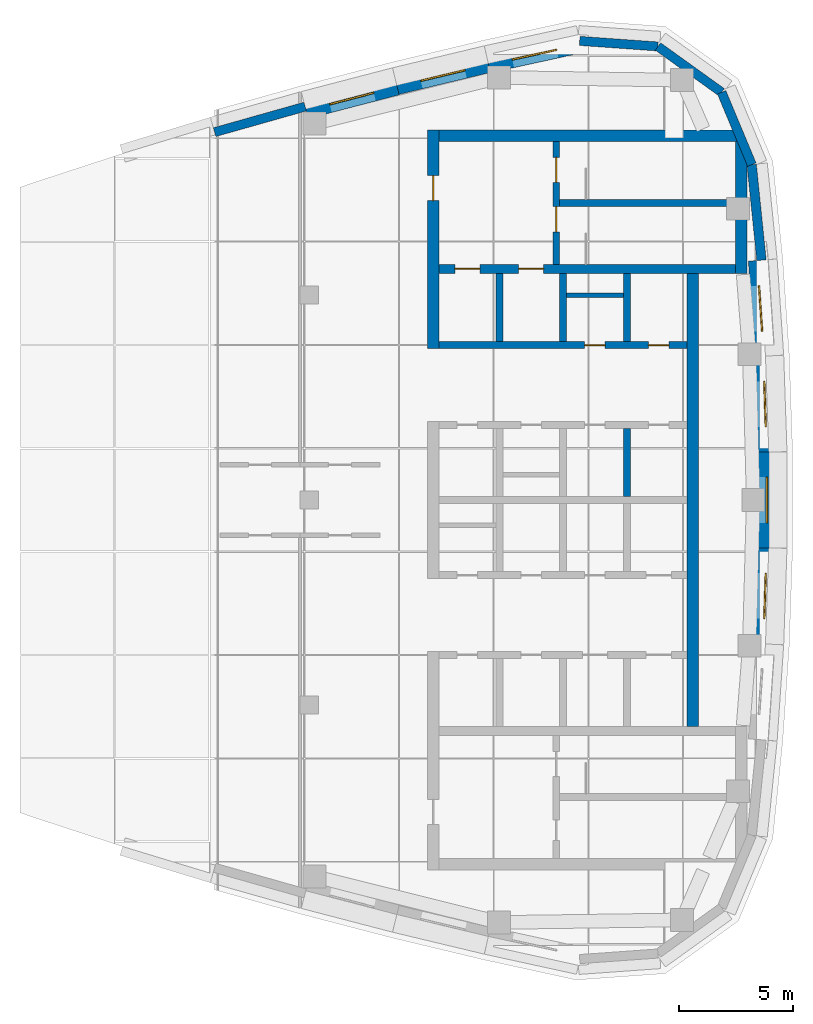
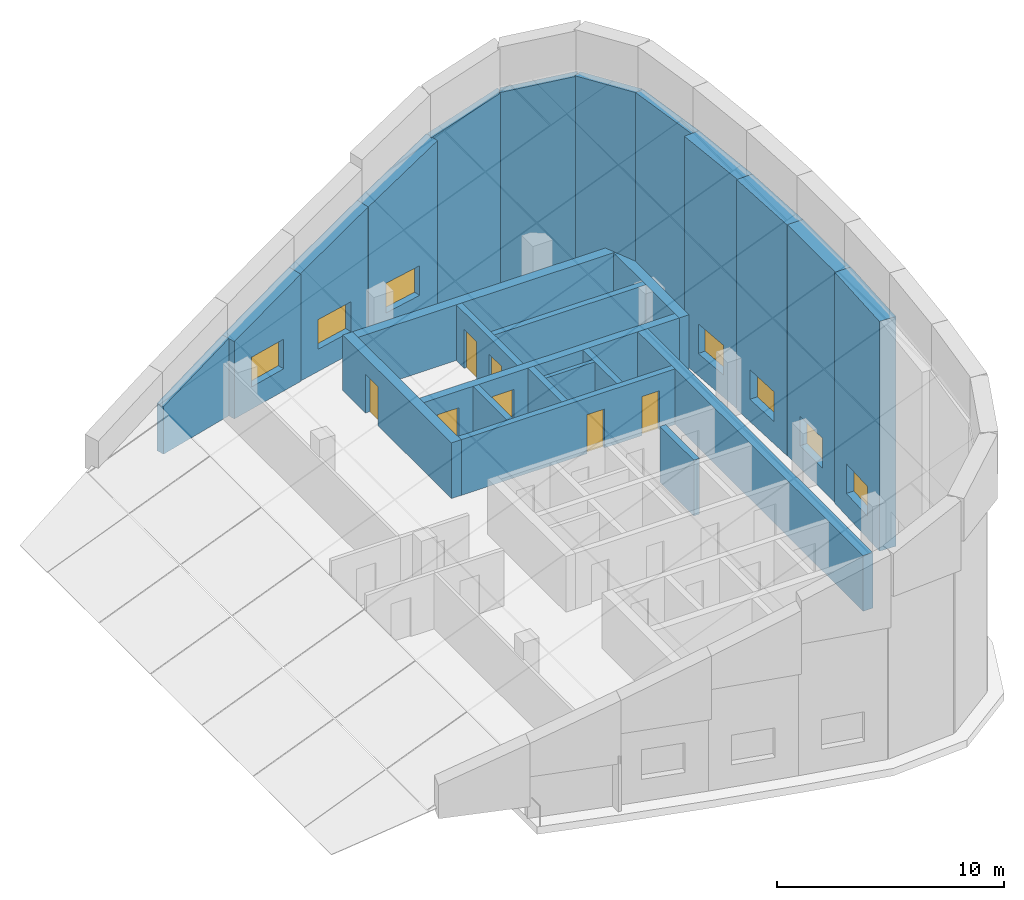
# One storey, part 4 of 6: 25 walls, 7 doors, 7 windows, 14 openings.
"""IFC4 building model written with IfcOpenShell, lengths in metres."""

from ifc_helpers import new_model, si_unit, direction, frame, frame_2d, origin, place, context, subcontext, project, spatial, polyline, rectangle, outline, extrude, material, layer, layer_set, type_object, element, fill, save


model = new_model("IFC4")

# Units and contexts
model_context = context("Model", 3, precision=1e-05, world=origin(), true_north=direction((0.0, 1.0)))
body_context = subcontext(model_context, "Body", "Model", "MODEL_VIEW")
ifc_project = project(units=[si_unit("LENGTHUNIT", "METRE"), si_unit("AREAUNIT", "SQUARE_METRE"), si_unit("VOLUMEUNIT", "CUBIC_METRE"), si_unit("PLANEANGLEUNIT", "RADIAN"), si_unit("MASSUNIT", "GRAM", prefix="KILO")], contexts=[model_context])

# Site, building, storey
site_placement = place(None, origin())
site = spatial("IfcSite", under=ifc_project, at=site_placement, CompositionType="ELEMENT")
building_placement = place(site_placement, origin())
building = spatial("IfcBuilding", under=site, at=building_placement, Name="Ostrand Prow Hotel Tower", CompositionType="ELEMENT")
storey_placement = place(building_placement, frame((0.0, 0.0, 337.39990234375)))
storey = spatial("IfcBuildingStorey", under=building, at=storey_placement, Name="C7", CompositionType="ELEMENT", Elevation=337.39990234375)

# Wall, openings, doors
ifc_material_1 = material(Name="Concrete C40/50", Category="concrete")
ifc_layer_1 = layer(ifc_material_1, 0.300048828125)
ifc_layer_set_1 = layer_set([ifc_layer_1], Name="Concrete C40/50")
wall_type_1 = type_object("IfcWallType", Name="Core wall 300 C40/50", PredefinedType="SHEAR", material=ifc_layer_set_1)
wall_1_placement = place(storey_placement, frame((50.699951171875, 6.800048828125, 0.0), z_axis=(0.0, 0.0, 1.0), x_axis=(1.0, 0.0, 0.0)))
wall_1 = element("IfcWall", 1, at=wall_1_placement, inside=storey, type_object=wall_type_1, Name="Core wall PW-L2-N", PredefinedType="SHEAR", context=body_context, shape_type="SweptSolid", body=[
    extrude(rectangle(XDim=10.900146484375, YDim=0.300048828125, at=frame_2d((5.4501953125, 0.0))), origin(), (0.0, 0.0, 1.0), 3.0),
])
opening_1_placement = place(wall_1_placement, frame((6.39990234375, 0.0, 0.0)))
opening_1 = element("IfcOpeningElement", 2, at=opening_1_placement, cuts=wall_1, Name="Opening FD2", PredefinedType="OPENING", context=body_context, shape_type="SweptSolid", body=[
    extrude(rectangle(XDim=0.89990234375, YDim=2.10009765625, at=frame_2d((0.449951171875, 1.050048828125))), frame((0.0, 0.159912109375, 0.0), z_axis=(0.0, -1.0, 0.0), x_axis=(1.0, 0.0, 0.0)), (0.0, 0.0, 1.0), 0.320068359375),
])
opening_2_placement = place(wall_1_placement, frame((9.199951171875, 0.0, 0.0)))
opening_2 = element("IfcOpeningElement", 3, at=opening_2_placement, cuts=wall_1, Name="Opening FD2", PredefinedType="OPENING", context=body_context, shape_type="SweptSolid", body=[
    extrude(rectangle(XDim=0.89990234375, YDim=2.10009765625, at=frame_2d((0.449951171875, 1.050048828125))), frame((0.0, 0.159912109375, 0.0), z_axis=(0.0, -1.0, 0.0), x_axis=(1.0, 0.0, 0.0)), (0.0, 0.0, 1.0), 0.320068359375),
])
ifc_material_2 = material(Name="Steel fire door", Category="steel")
door_type_1 = type_object("IfcDoorType", Name="Fire door 900 EI120", OperationType="SINGLE_SWING_LEFT", PredefinedType="DOOR", material=ifc_material_2)
door_1_placement = place(opening_1_placement, origin())
door_1 = element("IfcDoor", 4, at=door_1_placement, inside=storey, type_object=door_type_1, Name="DOOR", OperationType="SINGLE_SWING_LEFT", OverallHeight=2.10009765625, OverallWidth=0.89990234375, PredefinedType="DOOR", context=body_context, shape_type="SweptSolid", body=[
    extrude(rectangle(XDim=0.89990234375, YDim=2.10009765625, at=frame_2d((0.449951171875, 1.050048828125))), frame((0.0, 0.02490234375, 0.0), z_axis=(0.0, -1.0, 0.0), x_axis=(1.0, 0.0, 0.0)), (0.0, 0.0, 1.0), 0.050048828125),
])
fill(opening_1, door_1)
door_2_placement = place(opening_2_placement, origin())
door_2 = element("IfcDoor", 5, at=door_2_placement, inside=storey, type_object=door_type_1, Name="DOOR", OperationType="SINGLE_SWING_LEFT", OverallHeight=2.10009765625, OverallWidth=0.89990234375, PredefinedType="DOOR", context=body_context, shape_type="SweptSolid", body=[
    extrude(rectangle(XDim=0.89990234375, YDim=2.10009765625, at=frame_2d((0.449951171875, 1.050048828125))), frame((0.0, 0.02490234375, 0.0), z_axis=(0.0, -1.0, 0.0), x_axis=(1.0, 0.0, 0.0)), (0.0, 0.0, 1.0), 0.050048828125),
])
fill(opening_2, door_2)

# Walls
for number, where, z_axis, x_axis, name in (
    (6, (53.35009765625, 6.949951171875, 0.0), (0.0, 0.0, 1.0), (0.0, 1.0, 0.0), "Core wall PW-R1-NA"),
    (7, (56.14990234375, 6.949951171875, 0.0), (0.0, 0.0, 1.0), (0.0, 1.0, 0.0), "Core wall PW-R2-NA"),
    (8, (58.949951171875, 0.14990234375, 0.0), (0.0, 0.0, 1.0), (0.0, 1.0, 0.0), "Core wall PW-R3-NB"),
    (9, (58.949951171875, 6.949951171875, 0.0), (0.0, 0.0, 1.0), (0.0, 1.0, 0.0), "Core wall PW-R3-NA"),
):
    element("IfcWall", number, at=place(storey_placement, frame(where, z_axis=z_axis, x_axis=x_axis)), inside=storey, type_object=wall_type_1, Name=name, PredefinedType="SHEAR", context=body_context, shape_type="SweptSolid", body=[
        extrude(rectangle(XDim=3.0, YDim=0.300048828125, at=frame_2d((1.5, 0.0))), origin(), (0.0, 0.0, 1.0), 3.0),
    ])

# Wall, openings, doors
wall_2_placement = place(storey_placement, frame((55.85009765625, 10.35009765625, 0.0), z_axis=(0.0, 0.0, 1.0), x_axis=(0.0, 1.0, 0.0)))
wall_2 = element("IfcWall", 10, at=wall_2_placement, inside=storey, type_object=wall_type_1, Name="Core wall PW-VN", PredefinedType="SHEAR", context=body_context, shape_type="SweptSolid", body=[
    extrude(rectangle(XDim=5.39990234375, YDim=0.300048828125, at=frame_2d((2.699951171875, 0.0))), origin(), (0.0, 0.0, 1.0), 3.0),
])
opening_3_placement = place(wall_2_placement, frame((1.429931640625, 0.0, 0.0)))
opening_3 = element("IfcOpeningElement", 11, at=opening_3_placement, cuts=wall_2, Name="Opening FD1", PredefinedType="OPENING", context=body_context, shape_type="SweptSolid", body=[
    extrude(rectangle(XDim=1.10009765625, YDim=2.10009765625, at=frame_2d((0.550048828125, 1.050048828125))), frame((0.0, 0.159912109375, 0.0), z_axis=(0.0, -1.0, 0.0), x_axis=(1.0, 0.0, 0.0)), (0.0, 0.0, 1.0), 0.320068359375),
])
opening_4_placement = place(wall_2_placement, frame((3.60009765625, 0.0, 0.0)))
opening_4 = element("IfcOpeningElement", 12, at=opening_4_placement, cuts=wall_2, Name="Opening FD1", PredefinedType="OPENING", context=body_context, shape_type="SweptSolid", body=[
    extrude(rectangle(XDim=1.10009765625, YDim=2.10009765625, at=frame_2d((0.550048828125, 1.050048828125))), frame((0.0, 0.159912109375, 0.0), z_axis=(0.0, -1.0, 0.0), x_axis=(1.0, 0.0, 0.0)), (0.0, 0.0, 1.0), 0.320068359375),
])
ifc_material_3 = material(Name="Steel fire door", Category="steel")
door_type_2 = type_object("IfcDoorType", Name="Fire door 1100 EI120", OperationType="SINGLE_SWING_RIGHT", PredefinedType="DOOR", material=ifc_material_3)
door_3_placement = place(opening_3_placement, origin())
door_3 = element("IfcDoor", 13, at=door_3_placement, inside=storey, type_object=door_type_2, Name="FIRE DOOR", OperationType="SINGLE_SWING_RIGHT", OverallHeight=2.10009765625, OverallWidth=1.10009765625, PredefinedType="DOOR", context=body_context, shape_type="SweptSolid", body=[
    extrude(rectangle(XDim=1.10009765625, YDim=2.10009765625, at=frame_2d((0.550048828125, 1.050048828125))), frame((0.0, 0.02490234375, 0.0), z_axis=(0.0, -1.0, 0.0), x_axis=(1.0, 0.0, 0.0)), (0.0, 0.0, 1.0), 0.050048828125),
])
fill(opening_3, door_3)
door_4_placement = place(opening_4_placement, origin())
door_4 = element("IfcDoor", 14, at=door_4_placement, inside=storey, type_object=door_type_2, Name="FIRE DOOR", OperationType="SINGLE_SWING_RIGHT", OverallHeight=2.10009765625, OverallWidth=1.10009765625, PredefinedType="DOOR", context=body_context, shape_type="SweptSolid", body=[
    extrude(rectangle(XDim=1.10009765625, YDim=2.10009765625, at=frame_2d((0.550048828125, 1.050048828125))), frame((0.0, 0.02490234375, 0.0), z_axis=(0.0, -1.0, 0.0), x_axis=(1.0, 0.0, 0.0)), (0.0, 0.0, 1.0), 0.050048828125),
])
fill(opening_4, door_4)

# Wall
wall_3_placement = place(storey_placement, frame((56.0, 13.050048828125, 0.0), z_axis=(0.0, 0.0, 1.0), x_axis=(1.0, 0.0, 0.0)))
element("IfcWall", 15, at=wall_3_placement, inside=storey, type_object=wall_type_1, Name="Core wall PW-ST13", PredefinedType="SHEAR", context=body_context, shape_type="SweptSolid", body=[
    extrude(rectangle(XDim=7.719970703125, YDim=0.300048828125, at=frame_2d((3.85986328125, 0.0))), origin(), (0.0, 0.0, 1.0), 3.0),
])

# Wall, openings, doors
ifc_material_4 = material(Name="Concrete C40/50", Category="concrete")
ifc_layer_2 = layer(ifc_material_4, 0.39990234375)
ifc_layer_set_2 = layer_set([ifc_layer_2], Name="Concrete C40/50")
wall_type_2 = type_object("IfcWallType", Name="Core wall 400 C40/50", PredefinedType="SHEAR", material=ifc_layer_set_2)
wall_4_placement = place(storey_placement, frame((50.699951171875, 10.14990234375, 0.0), z_axis=(0.0, 0.0, 1.0), x_axis=(1.0, 0.0, 0.0)))
wall_4 = element("IfcWall", 16, at=wall_4_placement, inside=storey, type_object=wall_type_2, Name="Core wall PW-BN", PredefinedType="SHEAR", context=body_context, shape_type="SweptSolid", body=[
    extrude(rectangle(XDim=13.02001953125, YDim=0.39990234375, at=frame_2d((6.510009765625, 0.0))), origin(), (0.0, 0.0, 1.0), 3.0),
])
opening_5_placement = place(wall_4_placement, frame((0.699951171875, 0.0, 0.0)))
opening_5 = element("IfcOpeningElement", 17, at=opening_5_placement, cuts=wall_4, Name="Opening LD", PredefinedType="OPENING", context=body_context, shape_type="SweptSolid", body=[
    extrude(rectangle(XDim=1.10009765625, YDim=2.10009765625, at=frame_2d((0.550048828125, 1.050048828125))), frame((0.0, 0.2099609375, 0.0), z_axis=(0.0, -1.0, 0.0), x_axis=(1.0, 0.0, 0.0)), (0.0, 0.0, 1.0), 0.419921875),
])
opening_6_placement = place(wall_4_placement, frame((3.5, 0.0, 0.0)))
opening_6 = element("IfcOpeningElement", 18, at=opening_6_placement, cuts=wall_4, Name="Opening LD", PredefinedType="OPENING", context=body_context, shape_type="SweptSolid", body=[
    extrude(rectangle(XDim=1.10009765625, YDim=2.10009765625, at=frame_2d((0.550048828125, 1.050048828125))), frame((0.0, 0.2099609375, 0.0), z_axis=(0.0, -1.0, 0.0), x_axis=(1.0, 0.0, 0.0)), (0.0, 0.0, 1.0), 0.419921875),
])
ifc_material_5 = material(Name="Stainless steel door", Category="steel")
door_type_3 = type_object("IfcDoorType", Name="Lift landing door 1100", OperationType="DOUBLE_DOOR_SLIDING", PredefinedType="DOOR", material=ifc_material_5)
door_5_placement = place(opening_5_placement, origin())
door_5 = element("IfcDoor", 19, at=door_5_placement, inside=storey, type_object=door_type_3, Name="LIFT LANDING DOOR", OperationType="DOUBLE_DOOR_SLIDING", OverallHeight=2.10009765625, OverallWidth=1.10009765625, PredefinedType="DOOR", context=body_context, shape_type="SweptSolid", body=[
    extrude(rectangle(XDim=1.10009765625, YDim=2.10009765625, at=frame_2d((0.550048828125, 1.050048828125))), frame((0.0, 0.02490234375, 0.0), z_axis=(0.0, -1.0, 0.0), x_axis=(1.0, 0.0, 0.0)), (0.0, 0.0, 1.0), 0.050048828125),
])
fill(opening_5, door_5)
door_6_placement = place(opening_6_placement, origin())
door_6 = element("IfcDoor", 20, at=door_6_placement, inside=storey, type_object=door_type_3, Name="LIFT LANDING DOOR", OperationType="DOUBLE_DOOR_SLIDING", OverallHeight=2.10009765625, OverallWidth=1.10009765625, PredefinedType="DOOR", context=body_context, shape_type="SweptSolid", body=[
    extrude(rectangle(XDim=1.10009765625, YDim=2.10009765625, at=frame_2d((0.550048828125, 1.050048828125))), frame((0.0, 0.02490234375, 0.0), z_axis=(0.0, -1.0, 0.0), x_axis=(1.0, 0.0, 0.0)), (0.0, 0.0, 1.0), 0.050048828125),
])
fill(opening_6, door_6)

# Wall, opening, door
ifc_material_6 = material(Name="Concrete C40/50", Category="concrete")
ifc_layer_3 = layer(ifc_material_6, 0.5)
ifc_layer_set_3 = layer_set([ifc_layer_3], Name="Concrete C40/50")
wall_type_3 = type_object("IfcWallType", Name="Core wall 500 C40/50", PredefinedType="SHEAR", material=ifc_layer_set_3)
wall_5_placement = place(storey_placement, frame((50.449951171875, 6.64990234375, 0.0), z_axis=(0.0, 0.0, 1.0), x_axis=(0.0, 1.0, 0.0)))
wall_5 = element("IfcWall", 21, at=wall_5_placement, inside=storey, type_object=wall_type_3, Name="Core wall CW-W-N", PredefinedType="SHEAR", context=body_context, shape_type="SweptSolid", body=[
    extrude(rectangle(XDim=9.60009765625, YDim=0.5, at=frame_2d((4.800048828125, 0.0))), origin(), (0.0, 0.0, 1.0), 3.0),
])
opening_7_placement = place(wall_5_placement, frame((6.5, 0.0, 0.0)))
opening_7 = element("IfcOpeningElement", 22, at=opening_7_placement, cuts=wall_5, Name="Opening FD1", PredefinedType="OPENING", context=body_context, shape_type="SweptSolid", body=[
    extrude(rectangle(XDim=1.10009765625, YDim=2.10009765625, at=frame_2d((0.550048828125, 1.050048828125))), frame((0.0, 0.260009765625, 0.0), z_axis=(0.0, -1.0, 0.0), x_axis=(1.0, 0.0, 0.0)), (0.0, 0.0, 1.0), 0.52001953125),
])
door_7_placement = place(opening_7_placement, origin())
door_7 = element("IfcDoor", 23, at=door_7_placement, inside=storey, type_object=door_type_2, Name="FIRE DOOR", OperationType="SINGLE_SWING_RIGHT", OverallHeight=2.10009765625, OverallWidth=1.10009765625, PredefinedType="DOOR", context=body_context, shape_type="SweptSolid", body=[
    extrude(rectangle(XDim=1.10009765625, YDim=2.10009765625, at=frame_2d((0.550048828125, 1.050048828125))), frame((0.0, 0.02490234375, 0.0), z_axis=(0.0, -1.0, 0.0), x_axis=(1.0, 0.0, 0.0)), (0.0, 0.0, 1.0), 0.050048828125),
])
fill(opening_7, door_7)

# Walls
wall_6_placement = place(storey_placement, frame((50.699951171875, 16.0, 0.0), z_axis=(0.0, 0.0, 1.0), x_axis=(1.0, 0.0, 0.0)))
element("IfcWall", 24, at=wall_6_placement, inside=storey, type_object=wall_type_3, Name="Core wall CW-N", PredefinedType="SHEAR", context=body_context, shape_type="SweptSolid", body=[
    extrude(rectangle(XDim=13.52001953125, YDim=0.5, at=frame_2d((6.760009765625, 0.0))), origin(), (0.0, 0.0, 1.0), 3.0),
])
wall_7_placement = place(storey_placement, frame((63.969970703125, 9.949951171875, 0.0), z_axis=(0.0, 0.0, 1.0), x_axis=(0.0, 1.0, 0.0)))
element("IfcWall", 25, at=wall_7_placement, inside=storey, type_object=wall_type_3, Name="Core wall CW-E-N", PredefinedType="SHEAR", context=body_context, shape_type="SweptSolid", body=[
    extrude(rectangle(XDim=5.800048828125, YDim=0.5, at=frame_2d((2.89990234375, 0.0))), origin(), (0.0, 0.0, 1.0), 3.0),
])
wall_8_placement = place(storey_placement, frame((61.85009765625, -9.949951171875, 0.0), z_axis=(0.0, 0.0, 1.0), x_axis=(0.0, 1.0, 0.0)))
element("IfcWall", 26, at=wall_8_placement, inside=storey, type_object=wall_type_3, Name="Core wall CW-E-C", PredefinedType="SHEAR", context=body_context, shape_type="SweptSolid", body=[
    extrude(rectangle(XDim=19.89990234375, YDim=0.5, at=frame_2d((9.949951171875, 0.0))), origin(), (0.0, 0.0, 1.0), 3.0),
])
ifc_material_7 = material(Name="Plasterboard partition")
ifc_layer_4 = layer(ifc_material_7, 0.199951171875)
ifc_layer_set_4 = layer_set([ifc_layer_4], Name="Plasterboard partition")
wall_type_4 = type_object("IfcWallType", Name="Partition 200 riser wall", PredefinedType="PARTITIONING", material=ifc_layer_set_4)
wall_9_placement = place(storey_placement, frame((58.800048828125, 8.989990234375, 0.0), z_axis=(0.0, 0.0, 1.0), x_axis=(-1.0, 0.0, 0.0)))
element("IfcWall", 27, at=wall_9_placement, inside=storey, type_object=wall_type_4, Name="RISER WALL", PredefinedType="PARTITIONING", context=body_context, shape_type="SweptSolid", body=[
    extrude(rectangle(XDim=2.5, YDim=0.199951171875, at=frame_2d((1.25, 0.0))), origin(), (0.0, 0.0, 1.0), 3.0),
])

# Wall, opening, window
ifc_material_8 = material(Name="Precast concrete C40/50", Category="concrete")
ifc_layer_5 = layer(ifc_material_8, 0.39990234375)
ifc_layer_set_5 = layer_set([ifc_layer_5], Name="Precast concrete C40/50")
wall_type_5 = type_object("IfcWallType", Name="Stone-faced precast wall 400 mm", PredefinedType="NOTDEFINED", material=ifc_layer_set_5)
wall_10_placement = place(storey_placement, frame((64.945556640625, -6.31689453125, 0.0), z_axis=(0.0, 0.0, 1.0), x_axis=(0.034151270612, 0.999416675224, 0.0)))
wall_10 = element("IfcWall", 28, at=wall_10_placement, inside=storey, type_object=wall_type_5, Name="Crown side wall C7 21", PredefinedType="NOTDEFINED", context=body_context, shape_type="SweptSolid", body=[
    extrude(outline(polyline([(0.0, 0.0), (4.2177734375, 0.0), (4.2177734375, 12.442138671875), (0.0, 12.3837890625), (0.0, 0.0)])), frame((0.0, 0.41259765625, 0.0), z_axis=(0.0, -1.0, 0.0), x_axis=(1.0, 0.0, 0.0)), (0.0, 0.0, 1.0), 0.825439453125),
])
opening_8_placement = place(wall_10_placement, frame((1.10888671875, 0.0, 1.199951171875)))
opening_8 = element("IfcOpeningElement", 29, at=opening_8_placement, cuts=wall_10, Name="Opening WV1", PredefinedType="OPENING", context=body_context, shape_type="SweptSolid", body=[
    extrude(rectangle(XDim=2.0, YDim=1.60009765625, at=frame_2d((1.0, 0.800048828125))), frame((0.0, 0.422607421875, 0.0), z_axis=(0.0, -1.0, 0.0), x_axis=(1.0, 0.0, 0.0)), (0.0, 0.0, 1.0), 0.845458984375),
])
ifc_material_9 = material(Name="Bronze anodised aluminium louvre", Category="aluminium")
window_type = type_object("IfcWindowType", Name="Louvre vent 2000x1600", PartitioningType="SINGLE_PANEL", PredefinedType="WINDOW", material=ifc_material_9)
window_1_placement = place(opening_8_placement, origin())
window_1 = element("IfcWindow", 30, at=window_1_placement, inside=storey, type_object=window_type, Name="Louvre vent 21.1", OverallHeight=1.60009765625, OverallWidth=2.0, PartitioningType="SINGLE_PANEL", PredefinedType="WINDOW", context=body_context, shape_type="SweptSolid", body=[
    extrude(rectangle(XDim=2.0, YDim=1.60009765625, at=frame_2d((1.0, 0.800048828125))), frame((0.0, 0.030029296875, 0.0), z_axis=(0.0, -1.0, 0.0), x_axis=(1.0, 0.0, 0.0)), (0.0, 0.0, 1.0), 0.06005859375),
])
fill(opening_8, window_1)

wall_11_placement = place(storey_placement, frame((65.10107421875, -2.10888671875, 0.0), z_axis=(0.0, 0.0, 1.0), x_axis=(0.0, 1.0, 0.0)))
wall_11 = element("IfcWall", 31, at=wall_11_placement, inside=storey, type_object=wall_type_5, Name="Crown side wall C7 22", PredefinedType="NOTDEFINED", context=body_context, shape_type="SweptSolid", body=[
    extrude(outline(polyline([(0.0, 0.0), (4.2177734375, 0.0), (4.2177734375, 12.442138671875), (0.0, 12.442138671875), (0.0, 0.0)])), frame((0.0, 0.40087890625, 0.0), z_axis=(0.0, -1.0, 0.0), x_axis=(1.0, 0.0, 0.0)), (0.0, 0.0, 1.0), 0.802001953125),
])
opening_9_placement = place(wall_11_placement, frame((1.10888671875, 0.0, 1.199951171875)))
opening_9 = element("IfcOpeningElement", 32, at=opening_9_placement, cuts=wall_11, Name="Opening WV1", PredefinedType="OPENING", context=body_context, shape_type="SweptSolid", body=[
    extrude(rectangle(XDim=2.0, YDim=1.60009765625, at=frame_2d((1.0, 0.800048828125))), frame((0.0, 0.410888671875, 0.0), z_axis=(0.0, -1.0, 0.0), x_axis=(1.0, 0.0, 0.0)), (0.0, 0.0, 1.0), 0.822021484375),
])
window_2_placement = place(opening_9_placement, origin())
window_2 = element("IfcWindow", 33, at=window_2_placement, inside=storey, type_object=window_type, Name="Louvre vent 22.1", OverallHeight=1.60009765625, OverallWidth=2.0, PartitioningType="SINGLE_PANEL", PredefinedType="WINDOW", context=body_context, shape_type="SweptSolid", body=[
    extrude(rectangle(XDim=2.0, YDim=1.60009765625, at=frame_2d((1.0, 0.800048828125))), frame((0.0, 0.030029296875, 0.0), z_axis=(0.0, -1.0, 0.0), x_axis=(1.0, 0.0, 0.0)), (0.0, 0.0, 1.0), 0.06005859375),
])
fill(opening_9, window_2)

wall_12_placement = place(storey_placement, frame((65.089599609375, 2.1015625, 0.0), z_axis=(0.0, 0.0, 1.0), x_axis=(-0.034151270612, 0.999416675224, 0.0)))
wall_12 = element("IfcWall", 34, at=wall_12_placement, inside=storey, type_object=wall_type_5, Name="Crown side wall C7 23", PredefinedType="NOTDEFINED", context=body_context, shape_type="SweptSolid", body=[
    extrude(outline(polyline([(0.0, 0.0), (4.2177734375, 0.0), (4.2177734375, 12.3837890625), (0.0, 12.442138671875), (0.0, 0.0)])), frame((0.0, 0.41259765625, 0.0), z_axis=(0.0, -1.0, 0.0), x_axis=(1.0, 0.0, 0.0)), (0.0, 0.0, 1.0), 0.825439453125),
])
opening_10_placement = place(wall_12_placement, frame((1.10888671875, 0.0, 1.199951171875)))
opening_10 = element("IfcOpeningElement", 35, at=opening_10_placement, cuts=wall_12, Name="Opening WV1", PredefinedType="OPENING", context=body_context, shape_type="SweptSolid", body=[
    extrude(rectangle(XDim=2.0, YDim=1.60009765625, at=frame_2d((1.0, 0.800048828125))), frame((0.0, 0.422607421875, 0.0), z_axis=(0.0, -1.0, 0.0), x_axis=(1.0, 0.0, 0.0)), (0.0, 0.0, 1.0), 0.845458984375),
])
window_3_placement = place(opening_10_placement, origin())
window_3 = element("IfcWindow", 36, at=window_3_placement, inside=storey, type_object=window_type, Name="Louvre vent 23.1", OverallHeight=1.60009765625, OverallWidth=2.0, PartitioningType="SINGLE_PANEL", PredefinedType="WINDOW", context=body_context, shape_type="SweptSolid", body=[
    extrude(rectangle(XDim=2.0, YDim=1.60009765625, at=frame_2d((1.0, 0.800048828125))), frame((0.0, 0.030029296875, 0.0), z_axis=(0.0, -1.0, 0.0), x_axis=(1.0, 0.0, 0.0)), (0.0, 0.0, 1.0), 0.06005859375),
])
fill(opening_10, window_3)

wall_13_placement = place(storey_placement, frame((64.966064453125, 6.310791015625, 0.0), z_axis=(0.0, 0.0, 1.0), x_axis=(-0.068243871044, 0.997668669481, 0.0)))
wall_13 = element("IfcWall", 37, at=wall_13_placement, inside=storey, type_object=wall_type_5, Name="Crown side wall C7 24", PredefinedType="NOTDEFINED", context=body_context, shape_type="SweptSolid", body=[
    extrude(outline(polyline([(0.0, 0.0), (4.2177734375, 0.0), (4.2177734375, 12.267578125), (0.0, 12.3837890625), (0.0, 0.0)])), frame((0.0, 0.392578125, 0.0), z_axis=(0.0, -1.0, 0.0), x_axis=(1.0, 0.0, 0.0)), (0.0, 0.0, 1.0), 0.784912109375),
])
opening_11_placement = place(wall_13_placement, frame((1.10888671875, 0.0, 1.199951171875)))
opening_11 = element("IfcOpeningElement", 38, at=opening_11_placement, cuts=wall_13, Name="Opening WV1", PredefinedType="OPENING", context=body_context, shape_type="SweptSolid", body=[
    extrude(rectangle(XDim=2.0, YDim=1.60009765625, at=frame_2d((1.0, 0.800048828125))), frame((0.0, 0.40234375, 0.0), z_axis=(0.0, -1.0, 0.0), x_axis=(1.0, 0.0, 0.0)), (0.0, 0.0, 1.0), 0.804931640625),
])
window_4_placement = place(opening_11_placement, origin())
window_4 = element("IfcWindow", 39, at=window_4_placement, inside=storey, type_object=window_type, Name="Louvre vent 24.1", OverallHeight=1.60009765625, OverallWidth=2.0, PartitioningType="SINGLE_PANEL", PredefinedType="WINDOW", context=body_context, shape_type="SweptSolid", body=[
    extrude(rectangle(XDim=2.0, YDim=1.60009765625, at=frame_2d((1.0, 0.800048828125))), frame((0.0, 0.030029296875, 0.0), z_axis=(0.0, -1.0, 0.0), x_axis=(1.0, 0.0, 0.0)), (0.0, 0.0, 1.0), 0.06005859375),
])
fill(opening_11, window_4)

# Walls
wall_14_placement = place(storey_placement, frame((64.86328125, 10.531005859375, 0.0), z_axis=(0.0, 0.0, 1.0), x_axis=(-0.102219795478, 0.994761837533, 0.0)))
element("IfcWall", 40, at=wall_14_placement, inside=storey, type_object=wall_type_5, Name="Crown side wall C7 25", PredefinedType="NOTDEFINED", context=body_context, shape_type="SweptSolid", body=[
    extrude(outline(polyline([(0.0, 0.0), (4.2177734375, 0.0), (4.2177734375, 12.093505859375), (0.0, 12.267578125), (0.0, 0.0)])), frame((0.0, 0.20703125, 0.0), z_axis=(0.0, -1.0, 0.0), x_axis=(1.0, 0.0, 0.0)), (0.0, 0.0, 1.0), 0.413818359375),
])
wall_15_placement = place(storey_placement, frame((64.43896484375, 14.727294921875, 0.0), z_axis=(0.0, 0.0, 1.0), x_axis=(-0.385279586197, 0.922799891884, 0.0)))
element("IfcWall", 41, at=wall_15_placement, inside=storey, type_object=wall_type_5, Name="Crown side wall C7 26", PredefinedType="NOTDEFINED", context=body_context, shape_type="SweptSolid", body=[
    extrude(outline(polyline([(0.0, 0.0), (3.444580078125, 0.0), (3.444580078125, 11.557373046875), (0.0, 12.093505859375), (0.0, 0.0)])), frame((0.0, 0.199951171875, 0.0), z_axis=(0.0, -1.0, 0.0), x_axis=(1.0, 0.0, 0.0)), (0.0, 0.0, 1.0), 0.39990234375),
])
wall_16_placement = place(storey_placement, frame((63.11181640625, 17.906005859375, 0.0), z_axis=(0.0, 0.0, 1.0), x_axis=(-0.811948187253, 0.583729510319, 0.0)))
element("IfcWall", 42, at=wall_16_placement, inside=storey, type_object=wall_type_5, Name="Crown side wall C7 27", PredefinedType="NOTDEFINED", context=body_context, shape_type="SweptSolid", body=[
    extrude(outline(polyline([(0.0, 0.0), (3.444580078125, 0.0), (3.444580078125, 10.42724609375), (0.0, 11.557373046875), (0.0, 0.0)])), frame((0.0, 0.199951171875, 0.0), z_axis=(0.0, -1.0, 0.0), x_axis=(1.0, 0.0, 0.0)), (0.0, 0.0, 1.0), 0.39990234375),
])
wall_17_placement = place(storey_placement, frame((60.31494140625, 19.916748046875, 0.0), z_axis=(0.0, 0.0, 1.0), x_axis=(-0.997465171407, 0.071156389945, 0.0)))
element("IfcWall", 43, at=wall_17_placement, inside=storey, type_object=wall_type_5, Name="Crown side wall C7 28", PredefinedType="NOTDEFINED", context=body_context, shape_type="SweptSolid", body=[
    extrude(outline(polyline([(0.0, 0.0), (3.44482421875, 0.0), (3.444580078125, 9.039306640625), (0.0, 10.42724609375), (0.0, 0.0)])), frame((0.0, 0.199951171875, 0.0), z_axis=(0.0, -1.0, 0.0), x_axis=(1.0, 0.0, 0.0)), (0.0, 0.0, 1.0), 0.39990234375),
])

# Wall, opening, window
wall_18_placement = place(storey_placement, frame((56.91455078125, 19.99951171875, 0.0), z_axis=(0.0, 0.0, 1.0), x_axis=(-0.977019340581, -0.213150670022, 0.0)))
wall_18 = element("IfcWall", 44, at=wall_18_placement, inside=storey, type_object=wall_type_5, Name="Crown side wall C7 29", PredefinedType="NOTDEFINED", context=body_context, shape_type="SweptSolid", body=[
    extrude(outline(polyline([(0.0, 0.0), (4.132568359375, 0.0), (4.132568359375, 7.408203125), (0.0, 9.039306640625), (0.0, 0.0)])), frame((0.0, 0.3662109375, 0.0), z_axis=(0.0, -1.0, 0.0), x_axis=(1.0, 0.0, 0.0)), (0.0, 0.0, 1.0), 0.732666015625),
])
opening_12_placement = place(wall_18_placement, frame((1.06640625, 0.0, 1.199951171875)))
opening_12 = element("IfcOpeningElement", 45, at=opening_12_placement, cuts=wall_18, Name="Opening WV1", PredefinedType="OPENING", context=body_context, shape_type="SweptSolid", body=[
    extrude(rectangle(XDim=2.0, YDim=1.60009765625, at=frame_2d((1.0, 0.800048828125))), frame((0.0, 0.376220703125, 0.0), z_axis=(0.0, -1.0, 0.0), x_axis=(1.0, 0.0, 0.0)), (0.0, 0.0, 1.0), 0.752685546875),
])
window_5_placement = place(opening_12_placement, origin())
window_5 = element("IfcWindow", 46, at=window_5_placement, inside=storey, type_object=window_type, Name="Louvre vent 29.1", OverallHeight=1.60009765625, OverallWidth=2.0, PartitioningType="SINGLE_PANEL", PredefinedType="WINDOW", context=body_context, shape_type="SweptSolid", body=[
    extrude(rectangle(XDim=2.0, YDim=1.60009765625, at=frame_2d((1.0, 0.800048828125))), frame((0.0, 0.030029296875, 0.0), z_axis=(0.0, -1.0, 0.0), x_axis=(1.0, 0.0, 0.0)), (0.0, 0.0, 1.0), 0.06005859375),
])
fill(opening_12, window_5)

wall_19_placement = place(storey_placement, frame((52.87890625, 19.125, 0.0), z_axis=(0.0, 0.0, 1.0), x_axis=(-0.972546345517, -0.232709273174, 0.0)))
wall_19 = element("IfcWall", 47, at=wall_19_placement, inside=storey, type_object=wall_type_5, Name="Crown side wall C7 30", PredefinedType="NOTDEFINED", context=body_context, shape_type="SweptSolid", body=[
    extrude(outline(polyline([(0.0, 0.0), (4.132568359375, 0.0), (4.132568359375, 5.784423828125), (0.0, 7.408203125), (0.0, 0.0)])), frame((0.0, 0.3603515625, 0.0), z_axis=(0.0, -1.0, 0.0), x_axis=(1.0, 0.0, 0.0)), (0.0, 0.0, 1.0), 0.720703125),
])
opening_13_placement = place(wall_19_placement, frame((1.06640625, 0.0, 1.199951171875)))
opening_13 = element("IfcOpeningElement", 48, at=opening_13_placement, cuts=wall_19, Name="Opening WV1", PredefinedType="OPENING", context=body_context, shape_type="SweptSolid", body=[
    extrude(rectangle(XDim=2.0, YDim=1.60009765625, at=frame_2d((1.0, 0.800048828125))), frame((0.0, 0.370361328125, 0.0), z_axis=(0.0, -1.0, 0.0), x_axis=(1.0, 0.0, 0.0)), (0.0, 0.0, 1.0), 0.74072265625),
])
window_6_placement = place(opening_13_placement, origin())
window_6 = element("IfcWindow", 49, at=window_6_placement, inside=storey, type_object=window_type, Name="Louvre vent 30.1", OverallHeight=1.60009765625, OverallWidth=2.0, PartitioningType="SINGLE_PANEL", PredefinedType="WINDOW", context=body_context, shape_type="SweptSolid", body=[
    extrude(rectangle(XDim=2.0, YDim=1.60009765625, at=frame_2d((1.0, 0.800048828125))), frame((0.0, 0.030029296875, 0.0), z_axis=(0.0, -1.0, 0.0), x_axis=(1.0, 0.0, 0.0)), (0.0, 0.0, 1.0), 0.06005859375),
])
fill(opening_13, window_6)

wall_20_placement = place(storey_placement, frame((48.865966796875, 18.152587890625, 0.0), z_axis=(0.0, 0.0, 1.0), x_axis=(-0.967657413064, -0.252267974466, 0.0)))
wall_20 = element("IfcWall", 50, at=wall_20_placement, inside=storey, type_object=wall_type_5, Name="Crown side wall C7 31", PredefinedType="NOTDEFINED", context=body_context, shape_type="SweptSolid", body=[
    extrude(outline(polyline([(0.0, 0.0), (4.13232421875, 0.0), (4.132568359375, 4.168701171875), (0.0, 5.784423828125), (0.0, 0.0)])), frame((0.0, 0.372314453125, 0.0), z_axis=(0.0, -1.0, 0.0), x_axis=(1.0, 0.0, 0.0)), (0.0, 0.0, 1.0), 0.74462890625),
])
opening_14_placement = place(wall_20_placement, frame((1.06640625, 0.0, 1.199951171875)))
opening_14 = element("IfcOpeningElement", 51, at=opening_14_placement, cuts=wall_20, Name="Opening WV1", PredefinedType="OPENING", context=body_context, shape_type="SweptSolid", body=[
    extrude(rectangle(XDim=2.0, YDim=1.60009765625, at=frame_2d((1.0, 0.800048828125))), frame((0.0, 0.38232421875, 0.0), z_axis=(0.0, -1.0, 0.0), x_axis=(1.0, 0.0, 0.0)), (0.0, 0.0, 1.0), 0.7646484375),
])
window_7_placement = place(opening_14_placement, origin())
window_7 = element("IfcWindow", 52, at=window_7_placement, inside=storey, type_object=window_type, Name="Louvre vent 31.1", OverallHeight=1.60009765625, OverallWidth=2.0, PartitioningType="SINGLE_PANEL", PredefinedType="WINDOW", context=body_context, shape_type="SweptSolid", body=[
    extrude(rectangle(XDim=2.0, YDim=1.60009765625, at=frame_2d((1.0, 0.800048828125))), frame((0.0, 0.030029296875, 0.0), z_axis=(0.0, -1.0, 0.0), x_axis=(1.0, 0.0, 0.0)), (0.0, 0.0, 1.0), 0.06005859375),
])
fill(opening_14, window_7)

# Wall
wall_21_placement = place(storey_placement, frame((44.823486328125, 17.27685546875, 0.0), z_axis=(0.0, 0.0, 1.0), x_axis=(-0.962397415317, -0.27164538463, 0.0)))
element("IfcWall", 53, at=wall_21_placement, inside=storey, type_object=wall_type_5, Name="Crown side wall C7 32", PredefinedType="NOTDEFINED", context=body_context, shape_type="SweptSolid", body=[
    extrude(outline(polyline([(0.0, 0.0), (4.13232421875, 0.0), (4.132568359375, 2.56201171875), (0.0, 4.168701171875), (0.0, 0.0)])), frame((0.0, 0.199951171875, 0.0), z_axis=(0.0, -1.0, 0.0), x_axis=(1.0, 0.0, 0.0)), (0.0, 0.0, 1.0), 0.39990234375),
])

save(model, "model.ifc")
